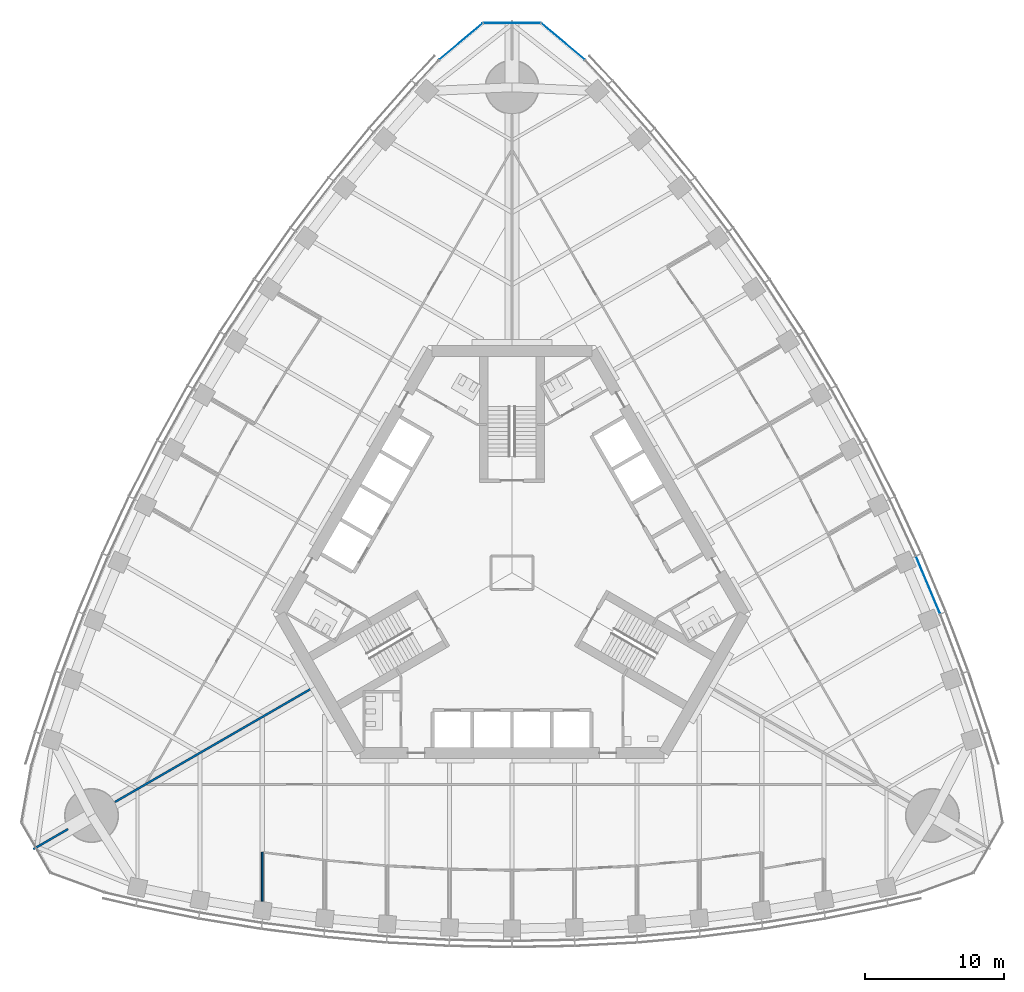
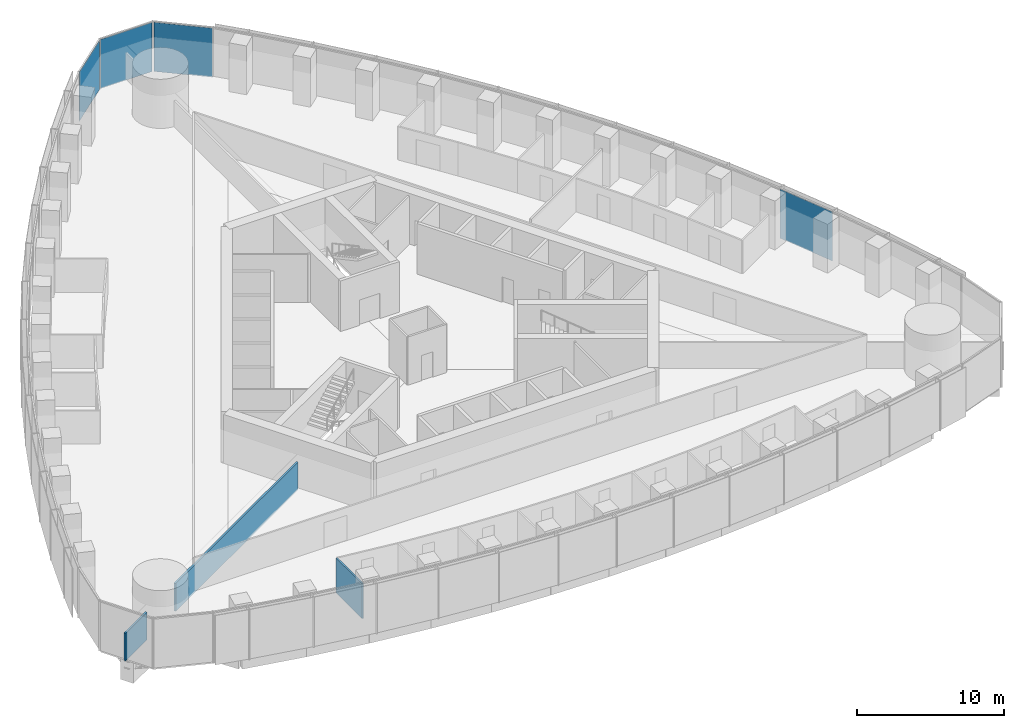
# One storey, part 11 of 21: 4 plates, 3 walls, 2 elements without a shape of their own.
"""IFC4 building model written with IfcOpenShell, lengths in metres."""

from ifc_helpers import new_model, si_unit, direction, frame, frame_2d, origin, origin_2d, place, context, subcontext, project, spatial, rectangle, extrude, material, layer, layer_set, type_object, element, aggregate, save


model = new_model("IFC4")

# Units and contexts
model_context = context("Model", 3, precision=1e-05, world=origin(), true_north=direction((0.0, 1.0)))
body_context = subcontext(model_context, "Body", "Model", "MODEL_VIEW")
ifc_project = project(units=[si_unit("LENGTHUNIT", "METRE"), si_unit("AREAUNIT", "SQUARE_METRE"), si_unit("VOLUMEUNIT", "CUBIC_METRE"), si_unit("PLANEANGLEUNIT", "RADIAN"), si_unit("MASSUNIT", "GRAM", prefix="KILO")], contexts=[model_context])

# Site, building, storey
site_placement = place(None, origin())
site = spatial("IfcSite", under=ifc_project, at=site_placement, CompositionType="ELEMENT")
building_placement = place(site_placement, origin())
building = spatial("IfcBuilding", under=site, at=building_placement, Name="Trefoil Bronze Tower", CompositionType="ELEMENT")
storey_placement = place(building_placement, frame((0.0, 0.0, 145.10009765625)))
storey = spatial("IfcBuildingStorey", under=building, at=storey_placement, Name="L33", CompositionType="ELEMENT", Elevation=145.10009765625)

# Curtain wall, plate
ifc_material_1 = material(Name="Tinted solar-control glass", Category="glass")
curtain_wall_type_1 = type_object("IfcCurtainWallType", Name="Bronze office curtain wall", PredefinedType="USERDEFINED", material=ifc_material_1)
curtain_wall_1_placement = place(storey_placement, origin())
curtain_wall_1 = element("IfcCurtainWall", 1, at=curtain_wall_1_placement, inside=storey, type_object=curtain_wall_type_1, Name="CW-A L33 F2", ObjectType="CURTAIN WALL", PredefinedType="USERDEFINED")
ifc_material_2 = material(Name="Tinted solar-control glass", Category="glass")
ifc_layer_1 = layer(ifc_material_2, 0.030029296875)
ifc_layer_set_1 = layer_set([ifc_layer_1], Name="Bronze office curtain wall glass panel")
plate_type_1 = type_object("IfcPlateType", Name="Bronze office curtain wall glass panel", PredefinedType="CURTAIN_PANEL", material=ifc_layer_set_1)
plate_1_placement = place(storey_placement, frame((29.99169921875, -0.885498046875, -0.000244140625), z_axis=(0.0, 0.0, 1.0), x_axis=(-0.386759234303, 0.922180727776, 0.0)))
plate_1 = element("IfcPlate", 2, at=plate_1_placement, type_object=plate_type_1, Name="CW-A L33 F2 panel 4", PredefinedType="CURTAIN_PANEL", context=body_context, shape_type="SweptSolid", body=[
    extrude(rectangle(XDim=4.456298828125, YDim=0.030029296875, at=origin_2d()), origin(), (0.0, 0.0, 1.0), 4.080078125),
])
aggregate(curtain_wall_1, [plate_1])

# Curtain wall, plates
ifc_material_3 = material(Name="Tinted solar-control glass", Category="glass")
curtain_wall_type_2 = type_object("IfcCurtainWallType", Name="Bronze rounded corner curtain wall", PredefinedType="USERDEFINED", material=ifc_material_3)
curtain_wall_2_placement = place(storey_placement, origin())
curtain_wall_2 = element("IfcCurtainWall", 3, at=curtain_wall_2_placement, inside=storey, type_object=curtain_wall_type_2, Name="CW-B L33 K2", ObjectType="CURTAIN WALL", PredefinedType="USERDEFINED")
ifc_material_4 = material(Name="Tinted solar-control glass", Category="glass")
ifc_layer_2 = layer(ifc_material_4, 0.030029296875)
ifc_layer_set_2 = layer_set([ifc_layer_2], Name="Bronze rounded corner curtain wall glass panel")
plate_type_2 = type_object("IfcPlateType", Name="Bronze rounded corner curtain wall glass panel", PredefinedType="CURTAIN_PANEL", material=ifc_layer_set_2)
plate_2_placement = place(storey_placement, frame((3.6884765625, 38.294921875, -0.000244140625), z_axis=(0.0, 0.0, 1.0), x_axis=(-0.766044443119, 0.642787609687, 0.0)))
plate_2 = element("IfcPlate", 4, at=plate_2_placement, type_object=plate_type_2, Name="CW-B L33 K2 panel 1", PredefinedType="CURTAIN_PANEL", context=body_context, shape_type="SweptSolid", body=[
    extrude(rectangle(XDim=4.044189453125, YDim=0.030029296875, at=origin_2d()), origin(), (0.0, 0.0, 1.0), 4.080078125),
])
plate_3_placement = place(storey_placement, frame((0.0, 39.637451171875, -0.000244140625), z_axis=(0.0, 0.0, 1.0), x_axis=(-1.0, 0.0, 0.0)))
plate_3 = element("IfcPlate", 5, at=plate_3_placement, type_object=plate_type_2, Name="CW-B L33 K2 panel 2", PredefinedType="CURTAIN_PANEL", context=body_context, shape_type="SweptSolid", body=[
    extrude(rectangle(XDim=4.044189453125, YDim=0.030029296875, at=origin_2d()), origin(), (0.0, 0.0, 1.0), 4.080078125),
])
plate_4_placement = place(storey_placement, frame((-3.6884765625, 38.294921875, -0.000244140625), z_axis=(0.0, 0.0, 1.0), x_axis=(-0.766044443119, -0.642787609687, 0.0)))
plate_4 = element("IfcPlate", 6, at=plate_4_placement, type_object=plate_type_2, Name="CW-B L33 K2 panel 3", PredefinedType="CURTAIN_PANEL", context=body_context, shape_type="SweptSolid", body=[
    extrude(rectangle(XDim=4.044189453125, YDim=0.030029296875, at=origin_2d()), origin(), (0.0, 0.0, 1.0), 4.080078125),
])
aggregate(curtain_wall_2, [plate_2, plate_3, plate_4])

# Walls
ifc_material_5 = material(Name="Glazed partition", Category="glass")
ifc_layer_3 = layer(ifc_material_5, 0.1201171875)
ifc_layer_set_3 = layer_set([ifc_layer_3], Name="Glazed partition 120")
wall_type_1 = type_object("IfcWallType", Name="Glazed partition 120", PredefinedType="PARTITIONING", material=ifc_layer_set_3)
wall_1_placement = place(storey_placement, frame((-18.0, -20.1455078125, 0.0), z_axis=(0.0, 0.0, 1.0), x_axis=(0.0, -1.0, 0.0)))
element("IfcWall", 7, at=wall_1_placement, inside=storey, type_object=wall_type_1, Name="Partition F1 L33", PredefinedType="PARTITIONING", context=body_context, shape_type="SweptSolid", body=[
    extrude(rectangle(XDim=3.52978515625, YDim=0.1201171875, at=frame_2d((1.764892578125, 0.0))), origin(), (0.0, 0.0, 1.0), 2.89990234375),
])
ifc_material_6 = material(Name="Gypsum board on steel studs", Category="steel")
ifc_layer_4 = layer(ifc_material_6, 0.14990234375)
ifc_layer_set_4 = layer_set([ifc_layer_4], Name="Party wall 150")
wall_type_2 = type_object("IfcWallType", Name="Party wall 150", PredefinedType="PARTITIONING", material=ifc_layer_set_4)
wall_2_placement = place(storey_placement, frame((-14.202880859375, -8.199951171875, 0.0), z_axis=(0.0, 0.0, 1.0), x_axis=(-0.866024668836, -0.500001272966, 0.0)))
element("IfcWall", 8, at=wall_2_placement, inside=storey, type_object=wall_type_2, Name="Party wall K3 L33", PredefinedType="PARTITIONING", context=body_context, shape_type="SweptSolid", body=[
    extrude(rectangle(XDim=16.64990234375, YDim=0.14990234375, at=frame_2d((8.324951171875, 0.0))), origin(), (0.0, 0.0, 1.0), 2.2998046875),
])
wall_3_placement = place(storey_placement, frame((-31.999755859375, -18.47509765625, 0.0), z_axis=(0.0, 0.0, 1.0), x_axis=(-0.866042548026, -0.499970304126, 0.0)))
element("IfcWall", 9, at=wall_3_placement, inside=storey, type_object=wall_type_2, Name="Party wall K3 L33", PredefinedType="PARTITIONING", context=body_context, shape_type="SweptSolid", body=[
    extrude(rectangle(XDim=2.899169921875, YDim=0.14990234375, at=frame_2d((1.44970703125, 0.0))), origin(), (0.0, 0.0, 1.0), 2.2998046875),
])

save(model, "model.ifc")
